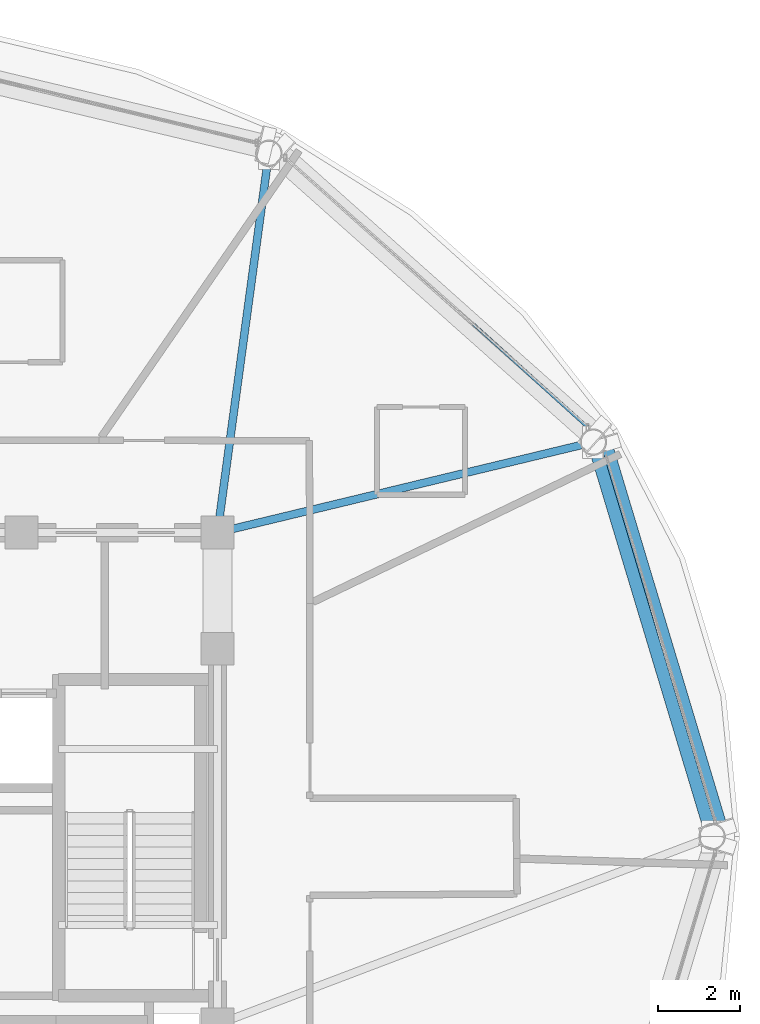
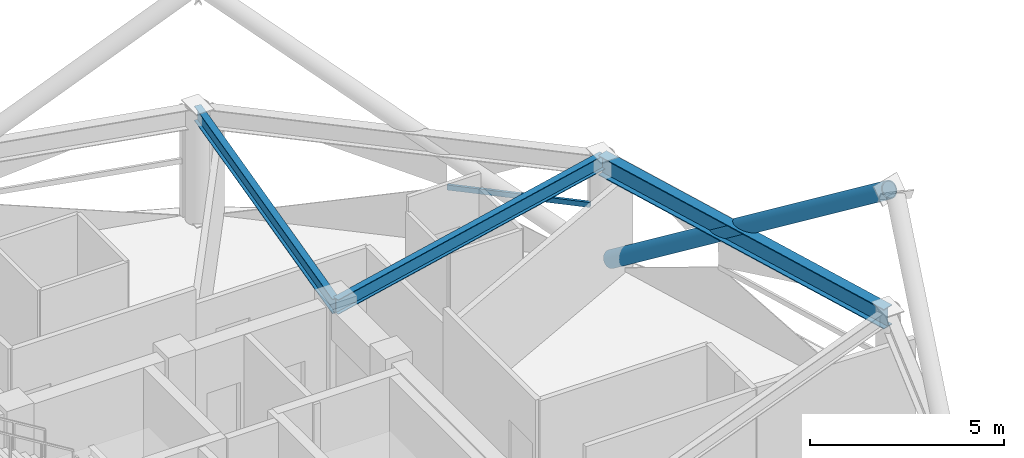
# One storey, part 14 of 29: 3 beams, 2 members, 1 element without a shape of its own.
"""IFC4 building model written with IfcOpenShell, lengths in metres."""

from ifc_helpers import new_model, si_unit, direction, frame, origin, origin_2d, place, context, subcontext, project, spatial, hollow_rectangle, hollow_circle, i_section, extrude, material, layer, layer_set, material_profile, profile_set, type_object, element, aggregate, save


model = new_model("IFC4")

# Units and contexts
model_context = context("Model", 3, precision=1e-05, world=origin(), true_north=direction((0.0, 1.0)))
body_context = subcontext(model_context, "Body", "Model", "MODEL_VIEW")
ifc_project = project(units=[si_unit("LENGTHUNIT", "METRE"), si_unit("AREAUNIT", "SQUARE_METRE"), si_unit("VOLUMEUNIT", "CUBIC_METRE"), si_unit("PLANEANGLEUNIT", "RADIAN"), si_unit("MASSUNIT", "GRAM", prefix="KILO")], contexts=[model_context])

# Site, building, storey
site_placement = place(None, origin())
site = spatial("IfcSite", under=ifc_project, at=site_placement, CompositionType="ELEMENT")
building_placement = place(site_placement, origin())
building = spatial("IfcBuilding", under=site, at=building_placement, Name="Vantalir Tower", CompositionType="ELEMENT")
storey_placement = place(building_placement, frame((0.0, 0.0, 234.89990234375)))
storey = spatial("IfcBuildingStorey", under=building, at=storey_placement, Name="L59", CompositionType="ELEMENT", Elevation=234.89990234375)

# Beams
ifc_material_1 = material(Name="Steel S355", Category="steel")
ifc_material_profile_1 = material_profile(ifc_material_1, i_section(OverallWidth=0.19189453125, OverallDepth=0.462890625, WebThickness=0.010498046875, FlangeThickness=0.017578125, at=origin_2d()), Name="Steel S355")
ifc_profile_set_1 = profile_set([ifc_material_profile_1], Name="Steel S355")
beam_type_1 = type_object("IfcBeamType", Name="BM-RB-457x191", PredefinedType="BEAM", material=ifc_profile_set_1)
beam_1_placement = place(storey_placement, frame((50.30810546875, 34.666015625, 3.338134765625), z_axis=(-0.972239928785, -0.233986155308, 0.0), x_axis=(0.233986155308, -0.972239928785, 0.0)))
element("IfcBeam", 1, at=beam_1_placement, inside=storey, type_object=beam_type_1, Name="L59 Radial Floor Beam 02", PredefinedType="BEAM", context=body_context, shape_type="SweptSolid", body=[
    extrude(i_section(OverallWidth=0.19189453125, OverallDepth=0.462890625, WebThickness=0.010498046875, FlangeThickness=0.017578125, at=origin_2d()), origin(), (0.0, 0.0, 1.0), 9.470947265625),
])
beam_2_placement = place(storey_placement, frame((42.35888671875, 41.742919921875, 3.338134765625), z_axis=(-0.134230220125, -0.99095017433, 0.0), x_axis=(0.99095017433, -0.134230220125, 0.0)))
element("IfcBeam", 2, at=beam_2_placement, inside=storey, type_object=beam_type_1, Name="L59 Radial Floor Beam 03", PredefinedType="BEAM", context=body_context, shape_type="SweptSolid", body=[
    extrude(i_section(OverallWidth=0.19189453125, OverallDepth=0.462890625, WebThickness=0.010498046875, FlangeThickness=0.017578125, at=origin_2d()), origin(), (0.0, 0.0, 1.0), 9.3779296875),
])
ifc_material_2 = material(Name="Steel S460", Category="steel")
ifc_material_profile_2 = material_profile(ifc_material_2, i_section(OverallWidth=0.306884765625, OverallDepth=0.6201171875, WebThickness=0.01416015625, FlangeThickness=0.023681640625, at=origin_2d()), Name="Steel S460")
ifc_profile_set_2 = profile_set([ifc_material_profile_2], Name="Steel S460")
beam_type_2 = type_object("IfcBeamType", Name="BM-RG-610x305", PredefinedType="USERDEFINED", material=ifc_profile_set_2)
beam_3_placement = place(storey_placement, frame((53.218017578125, 25.0, 3.260009765625), z_axis=(-0.288266356679, 0.95755026375, 0.0), x_axis=(-0.95755026375, -0.288266356679, 0.0)))
element("IfcBeam", 3, at=beam_3_placement, inside=storey, type_object=beam_type_2, Name="L59 Circumferential Ring Girder 01", ObjectType="GIRDER", PredefinedType="USERDEFINED", context=body_context, shape_type="SweptSolid", body=[
    extrude(i_section(OverallWidth=0.306884765625, OverallDepth=0.6201171875, WebThickness=0.01416015625, FlangeThickness=0.023681640625, at=origin_2d()), origin(), (0.0, 0.0, 1.0), 10.094482421875),
])

# Curtain wall, member
ifc_material_3 = material(Name="Champagne-silver PVDF aluminium and double-silver Low-E glass", Category="aluminium")
ifc_layer = layer(ifc_material_3, 0.2099609375)
ifc_layer_set = layer_set([ifc_layer], Name="Champagne-silver PVDF aluminium and double-silver Low-E glass")
curtain_wall_type = type_object("IfcCurtainWallType", Name="CW-DIAMOND-Z3", PredefinedType="USERDEFINED", material=ifc_layer_set)
curtain_wall_placement = place(storey_placement, origin())
curtain_wall = element("IfcCurtainWall", 4, at=curtain_wall_placement, inside=storey, type_object=curtain_wall_type, Name="L59 Quilted Pyramid-Diamond Curtain Wall S02", ObjectType="UNITISED CURTAIN WALL", PredefinedType="USERDEFINED")
ifc_material_4 = material(Name="Champagne-silver PVDF aluminium 6063-T6", Category="aluminium")
ifc_material_profile_3 = material_profile(ifc_material_4, hollow_rectangle(XDim=0.074951171875, YDim=0.159912109375, WallThickness=0.00390625, at=origin_2d()), Name="Champagne-silver PVDF aluminium 6063-T6")
ifc_profile_set_3 = profile_set([ifc_material_profile_3], Name="Champagne-silver PVDF aluminium 6063-T6")
member_type_1 = type_object("IfcMemberType", Name="CWT-160x75", PredefinedType="USERDEFINED", material=ifc_profile_set_3)
member_1_placement = place(storey_placement, frame((50.1669921875, 35.033935546875, 1.78515625), z_axis=(-0.742416710434, 0.669938376321, 0.0), x_axis=(-0.669938376321, -0.742416710434, 0.0)))
member_1 = element("IfcMember", 5, at=member_1_placement, type_object=member_type_1, Name="CW-L59-S02 Pyramid Fold Ridge Transom", ObjectType="TRANSOM", PredefinedType="USERDEFINED", context=body_context, shape_type="SweptSolid", body=[
    extrude(hollow_rectangle(XDim=0.074951171875, YDim=0.159912109375, WallThickness=0.00390625, at=origin_2d()), origin(), (0.0, 0.0, 1.0), 3.765869140625),
])
aggregate(curtain_wall, [member_1])

# Member
ifc_material_profile_4 = material_profile(ifc_material_2, hollow_circle(Radius=0.25, WallThickness=0.031982421875, at=origin_2d()), Name="Steel S460")
ifc_profile_set_4 = profile_set([ifc_material_profile_4], Name="Steel S460")
member_type_2 = type_object("IfcMemberType", Name="MEM-DB-500x32", PredefinedType="BRACE", material=ifc_profile_set_4)
member_2_placement = place(storey_placement, frame((50.52490234375, 34.589111328125, 0.2060546875), z_axis=(0.23558240087, -0.783622315141, 0.574836498157), x_axis=(0.957659390234, 0.287903616332, 0.0)))
element("IfcMember", 6, at=member_2_placement, inside=storey, type_object=member_type_2, Name="L59 Perimeter S460 Diagrid Brace R04R", PredefinedType="BRACE", context=body_context, shape_type="SweptSolid", body=[
    extrude(hollow_circle(Radius=0.25, WallThickness=0.031982421875, at=origin_2d()), origin(), (0.0, 0.0, 1.0), 12.017333984375),
])

save(model, "model.ifc")
